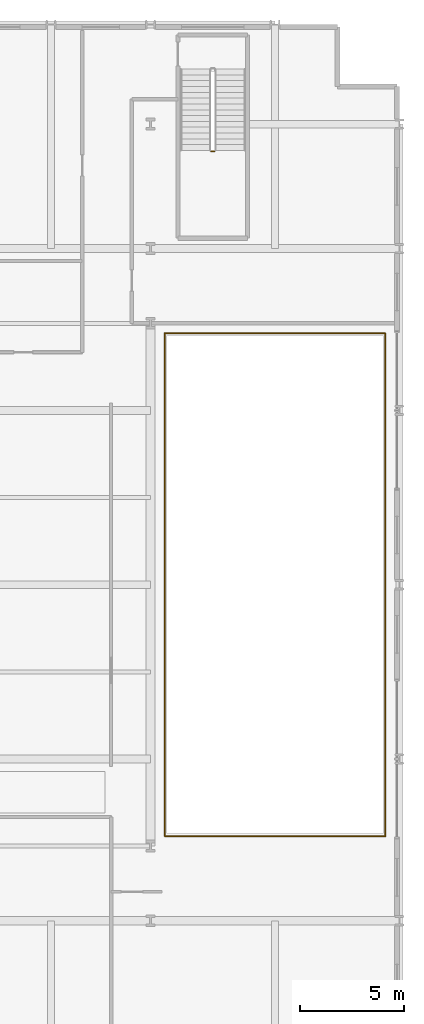
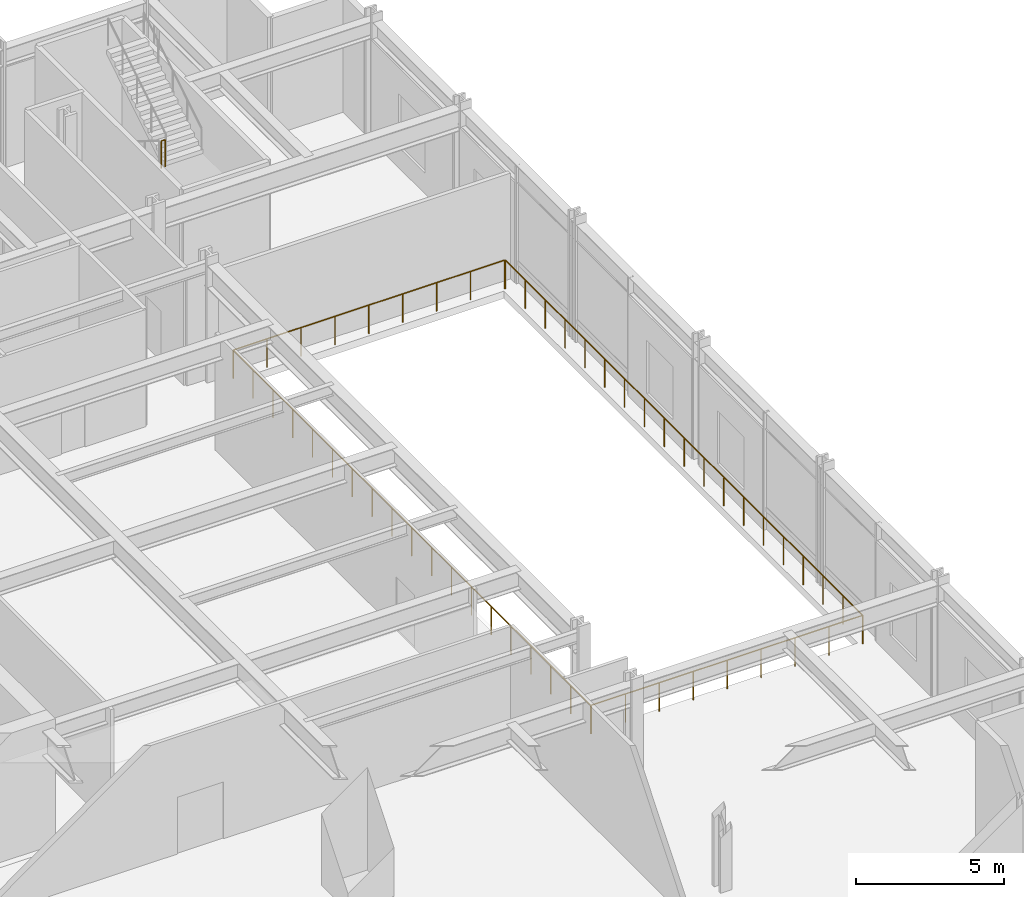
# One storey, part 19 of 20: 3 railings.
"""IFC4 building model written with IfcOpenShell, lengths in metres."""

from ifc_helpers import new_model, si_unit, direction, frame, origin, origin_2d, place, context, subcontext, project, spatial, circle, extrude, material, type_object, element, save


model = new_model("IFC4")

# Units and contexts
model_context = context("Model", 3, precision=1e-05, world=origin(), true_north=direction((0.0, 1.0)))
body_context = subcontext(model_context, "Body", "Model", "MODEL_VIEW")
ifc_project = project(units=[si_unit("LENGTHUNIT", "METRE"), si_unit("AREAUNIT", "SQUARE_METRE"), si_unit("VOLUMEUNIT", "CUBIC_METRE"), si_unit("PLANEANGLEUNIT", "RADIAN"), si_unit("MASSUNIT", "GRAM", prefix="KILO")], contexts=[model_context])

# Site, building, storey
site_placement = place(None, origin())
site = spatial("IfcSite", under=ifc_project, at=site_placement, CompositionType="ELEMENT")
building_placement = place(site_placement, origin())
building = spatial("IfcBuilding", under=site, at=building_placement, Name="Drelvath Grand Hotel", CompositionType="ELEMENT")
storey_placement = place(building_placement, frame((0.0, 0.0, 5.60009765625)))
storey = spatial("IfcBuildingStorey", under=building, at=storey_placement, Name="L01", CompositionType="ELEMENT", Elevation=5.60009765625)

# Railings
ifc_material_1 = material(Name="Painted Steel S275", Category="steel")
railing_type_1 = type_object("IfcRailingType", Name="Core Stair Well Guardrail 1100", PredefinedType="GUARDRAIL", material=ifc_material_1)
railing_1_placement = place(storey_placement, frame((29.919921875, 47.8798828125, 2.599853515625)))
element("IfcRailing", 1, at=railing_1_placement, inside=storey, type_object=railing_type_1, Name="L01 ST-4 stair guard 2", PredefinedType="GUARDRAIL", context=body_context, shape_type="SweptSolid", body=[
    extrude(circle(Radius=0.02392578125, at=origin_2d()), frame((0.0, 0.0, 1.1259765625), z_axis=(1.0, 0.0, 0.0), x_axis=(0.0, 1.0, 0.0)), (0.0, 0.0, 1.0), 0.16015625),
    extrude(circle(Radius=0.02099609375, at=origin_2d()), origin(), (0.0, 0.0, 1.0), 1.101806640625),
    extrude(circle(Radius=0.02099609375, at=origin_2d()), frame((0.16015625, 0.0, 0.0)), (0.0, 0.0, 1.0), 1.101806640625),
])
ifc_material_2 = material(Name="Anodised Aluminium and Laminated Glass Balustrade", Category="aluminium")
railing_type_2 = type_object("IfcRailingType", Name="Glazed Terrace and Atrium Balustrade 1200", PredefinedType="BALUSTRADE", material=ifc_material_2)
railing_2_placement = place(storey_placement, frame((27.7041015625, 14.8798828125, 0.0)))
element("IfcRailing", 2, at=railing_2_placement, inside=storey, type_object=railing_type_2, Name="L01 Atrium Void Perimeter Balustrade A", PredefinedType="BALUSTRADE", context=body_context, shape_type="SweptSolid", body=[
    extrude(circle(Radius=0.02392578125, at=origin_2d()), frame((0.0, 0.0, 1.17578125), z_axis=(1.0, 0.0, 0.0), x_axis=(0.0, 1.0, 0.0)), (0.0, 0.0, 1.0), 10.615966796875),
    extrude(circle(Radius=0.02392578125, at=origin_2d()), frame((10.615966796875, 0.0, 1.17578125), z_axis=(0.0, 1.0, 0.0), x_axis=(-1.0, 0.0, 0.0)), (0.0, 0.0, 1.0), 24.216064453125),
    extrude(circle(Radius=0.02099609375, at=origin_2d()), origin(), (0.0, 0.0, 1.0), 1.15185546875),
    extrude(circle(Radius=0.02099609375, at=origin_2d()), frame((1.326904296875, 0.0, 0.0)), (0.0, 0.0, 1.0), 1.15185546875),
    extrude(circle(Radius=0.02099609375, at=origin_2d()), frame((2.654052734375, 0.0, 0.0)), (0.0, 0.0, 1.0), 1.15185546875),
    extrude(circle(Radius=0.02099609375, at=origin_2d()), frame((3.98095703125, 0.0, 0.0)), (0.0, 0.0, 1.0), 1.15185546875),
    extrude(circle(Radius=0.02099609375, at=origin_2d()), frame((5.30810546875, 0.0, 0.0)), (0.0, 0.0, 1.0), 1.15185546875),
    extrude(circle(Radius=0.02099609375, at=origin_2d()), frame((6.635009765625, 0.0, 0.0)), (0.0, 0.0, 1.0), 1.15185546875),
    extrude(circle(Radius=0.02099609375, at=origin_2d()), frame((7.9619140625, 0.0, 0.0)), (0.0, 0.0, 1.0), 1.15185546875),
    extrude(circle(Radius=0.02099609375, at=origin_2d()), frame((9.2890625, 0.0, 0.0)), (0.0, 0.0, 1.0), 1.15185546875),
    extrude(circle(Radius=0.02099609375, at=origin_2d()), frame((10.615966796875, 0.0, 0.0)), (0.0, 0.0, 1.0), 1.15185546875),
    extrude(circle(Radius=0.02099609375, at=origin_2d()), frame((10.615966796875, 1.34521484375, 0.0)), (0.0, 0.0, 1.0), 1.15185546875),
    extrude(circle(Radius=0.02099609375, at=origin_2d()), frame((10.615966796875, 2.690673828125, 0.0)), (0.0, 0.0, 1.0), 1.15185546875),
    extrude(circle(Radius=0.02099609375, at=origin_2d()), frame((10.615966796875, 4.0361328125, 0.0)), (0.0, 0.0, 1.0), 1.15185546875),
    extrude(circle(Radius=0.02099609375, at=origin_2d()), frame((10.615966796875, 5.38134765625, 0.0)), (0.0, 0.0, 1.0), 1.15185546875),
    extrude(circle(Radius=0.02099609375, at=origin_2d()), frame((10.615966796875, 6.7265625, 0.0)), (0.0, 0.0, 1.0), 1.15185546875),
    extrude(circle(Radius=0.02099609375, at=origin_2d()), frame((10.615966796875, 8.072021484375, 0.0)), (0.0, 0.0, 1.0), 1.15185546875),
    extrude(circle(Radius=0.02099609375, at=origin_2d()), frame((10.615966796875, 9.41748046875, 0.0)), (0.0, 0.0, 1.0), 1.15185546875),
    extrude(circle(Radius=0.02099609375, at=origin_2d()), frame((10.615966796875, 10.7626953125, 0.0)), (0.0, 0.0, 1.0), 1.15185546875),
    extrude(circle(Radius=0.02099609375, at=origin_2d()), frame((10.615966796875, 12.10791015625, 0.0)), (0.0, 0.0, 1.0), 1.15185546875),
    extrude(circle(Radius=0.02099609375, at=origin_2d()), frame((10.615966796875, 13.453369140625, 0.0)), (0.0, 0.0, 1.0), 1.15185546875),
    extrude(circle(Radius=0.02099609375, at=origin_2d()), frame((10.615966796875, 14.798828125, 0.0)), (0.0, 0.0, 1.0), 1.15185546875),
    extrude(circle(Radius=0.02099609375, at=origin_2d()), frame((10.615966796875, 16.14404296875, 0.0)), (0.0, 0.0, 1.0), 1.15185546875),
    extrude(circle(Radius=0.02099609375, at=origin_2d()), frame((10.615966796875, 17.4892578125, 0.0)), (0.0, 0.0, 1.0), 1.15185546875),
    extrude(circle(Radius=0.02099609375, at=origin_2d()), frame((10.615966796875, 18.834716796875, 0.0)), (0.0, 0.0, 1.0), 1.15185546875),
    extrude(circle(Radius=0.02099609375, at=origin_2d()), frame((10.615966796875, 20.18017578125, 0.0)), (0.0, 0.0, 1.0), 1.15185546875),
    extrude(circle(Radius=0.02099609375, at=origin_2d()), frame((10.615966796875, 21.525390625, 0.0)), (0.0, 0.0, 1.0), 1.15185546875),
    extrude(circle(Radius=0.02099609375, at=origin_2d()), frame((10.615966796875, 22.87060546875, 0.0)), (0.0, 0.0, 1.0), 1.15185546875),
    extrude(circle(Radius=0.02099609375, at=origin_2d()), frame((10.615966796875, 24.216064453125, 0.0)), (0.0, 0.0, 1.0), 1.15185546875),
])
railing_3_placement = place(storey_placement, frame((38.2958984375, 39.1201171875, 0.0)))
element("IfcRailing", 3, at=railing_3_placement, inside=storey, type_object=railing_type_2, Name="L01 Atrium Void Perimeter Balustrade B", PredefinedType="BALUSTRADE", context=body_context, shape_type="SweptSolid", body=[
    extrude(circle(Radius=0.02392578125, at=origin_2d()), frame((0.0, 0.0, 1.17578125), z_axis=(-1.0, 0.0, 0.0), x_axis=(0.0, -1.0, 0.0)), (0.0, 0.0, 1.0), 10.615966796875),
    extrude(circle(Radius=0.02392578125, at=origin_2d()), frame((-10.615966796875, 0.0, 1.17578125), z_axis=(0.0, -1.0, 0.0), x_axis=(1.0, 0.0, 0.0)), (0.0, 0.0, 1.0), 24.216064453125),
    extrude(circle(Radius=0.02099609375, at=origin_2d()), origin(), (0.0, 0.0, 1.0), 1.15185546875),
    extrude(circle(Radius=0.02099609375, at=origin_2d()), frame((-1.326904296875, 0.0, 0.0)), (0.0, 0.0, 1.0), 1.15185546875),
    extrude(circle(Radius=0.02099609375, at=origin_2d()), frame((-2.654052734375, 0.0, 0.0)), (0.0, 0.0, 1.0), 1.15185546875),
    extrude(circle(Radius=0.02099609375, at=origin_2d()), frame((-3.98095703125, 0.0, 0.0)), (0.0, 0.0, 1.0), 1.15185546875),
    extrude(circle(Radius=0.02099609375, at=origin_2d()), frame((-5.30810546875, 0.0, 0.0)), (0.0, 0.0, 1.0), 1.15185546875),
    extrude(circle(Radius=0.02099609375, at=origin_2d()), frame((-6.635009765625, 0.0, 0.0)), (0.0, 0.0, 1.0), 1.15185546875),
    extrude(circle(Radius=0.02099609375, at=origin_2d()), frame((-7.9619140625, 0.0, 0.0)), (0.0, 0.0, 1.0), 1.15185546875),
    extrude(circle(Radius=0.02099609375, at=origin_2d()), frame((-9.2890625, 0.0, 0.0)), (0.0, 0.0, 1.0), 1.15185546875),
    extrude(circle(Radius=0.02099609375, at=origin_2d()), frame((-10.615966796875, 0.0, 0.0)), (0.0, 0.0, 1.0), 1.15185546875),
    extrude(circle(Radius=0.02099609375, at=origin_2d()), frame((-10.615966796875, -1.34521484375, 0.0)), (0.0, 0.0, 1.0), 1.15185546875),
    extrude(circle(Radius=0.02099609375, at=origin_2d()), frame((-10.615966796875, -2.690673828125, 0.0)), (0.0, 0.0, 1.0), 1.15185546875),
    extrude(circle(Radius=0.02099609375, at=origin_2d()), frame((-10.615966796875, -4.0361328125, 0.0)), (0.0, 0.0, 1.0), 1.15185546875),
    extrude(circle(Radius=0.02099609375, at=origin_2d()), frame((-10.615966796875, -5.38134765625, 0.0)), (0.0, 0.0, 1.0), 1.15185546875),
    extrude(circle(Radius=0.02099609375, at=origin_2d()), frame((-10.615966796875, -6.7265625, 0.0)), (0.0, 0.0, 1.0), 1.15185546875),
    extrude(circle(Radius=0.02099609375, at=origin_2d()), frame((-10.615966796875, -8.072021484375, 0.0)), (0.0, 0.0, 1.0), 1.15185546875),
    extrude(circle(Radius=0.02099609375, at=origin_2d()), frame((-10.615966796875, -9.41748046875, 0.0)), (0.0, 0.0, 1.0), 1.15185546875),
    extrude(circle(Radius=0.02099609375, at=origin_2d()), frame((-10.615966796875, -10.7626953125, 0.0)), (0.0, 0.0, 1.0), 1.15185546875),
    extrude(circle(Radius=0.02099609375, at=origin_2d()), frame((-10.615966796875, -12.10791015625, 0.0)), (0.0, 0.0, 1.0), 1.15185546875),
    extrude(circle(Radius=0.02099609375, at=origin_2d()), frame((-10.615966796875, -13.453369140625, 0.0)), (0.0, 0.0, 1.0), 1.15185546875),
    extrude(circle(Radius=0.02099609375, at=origin_2d()), frame((-10.615966796875, -14.798828125, 0.0)), (0.0, 0.0, 1.0), 1.15185546875),
    extrude(circle(Radius=0.02099609375, at=origin_2d()), frame((-10.615966796875, -16.14404296875, 0.0)), (0.0, 0.0, 1.0), 1.15185546875),
    extrude(circle(Radius=0.02099609375, at=origin_2d()), frame((-10.615966796875, -17.4892578125, 0.0)), (0.0, 0.0, 1.0), 1.15185546875),
    extrude(circle(Radius=0.02099609375, at=origin_2d()), frame((-10.615966796875, -18.834716796875, 0.0)), (0.0, 0.0, 1.0), 1.15185546875),
    extrude(circle(Radius=0.02099609375, at=origin_2d()), frame((-10.615966796875, -20.18017578125, 0.0)), (0.0, 0.0, 1.0), 1.15185546875),
    extrude(circle(Radius=0.02099609375, at=origin_2d()), frame((-10.615966796875, -21.525390625, 0.0)), (0.0, 0.0, 1.0), 1.15185546875),
    extrude(circle(Radius=0.02099609375, at=origin_2d()), frame((-10.615966796875, -22.87060546875, 0.0)), (0.0, 0.0, 1.0), 1.15185546875),
    extrude(circle(Radius=0.02099609375, at=origin_2d()), frame((-10.615966796875, -24.216064453125, 0.0)), (0.0, 0.0, 1.0), 1.15185546875),
])

save(model, "model.ifc")
